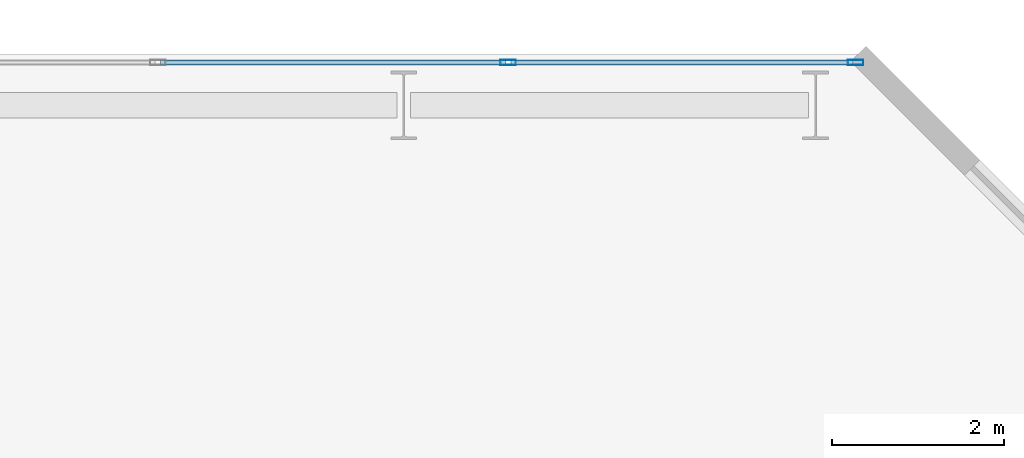
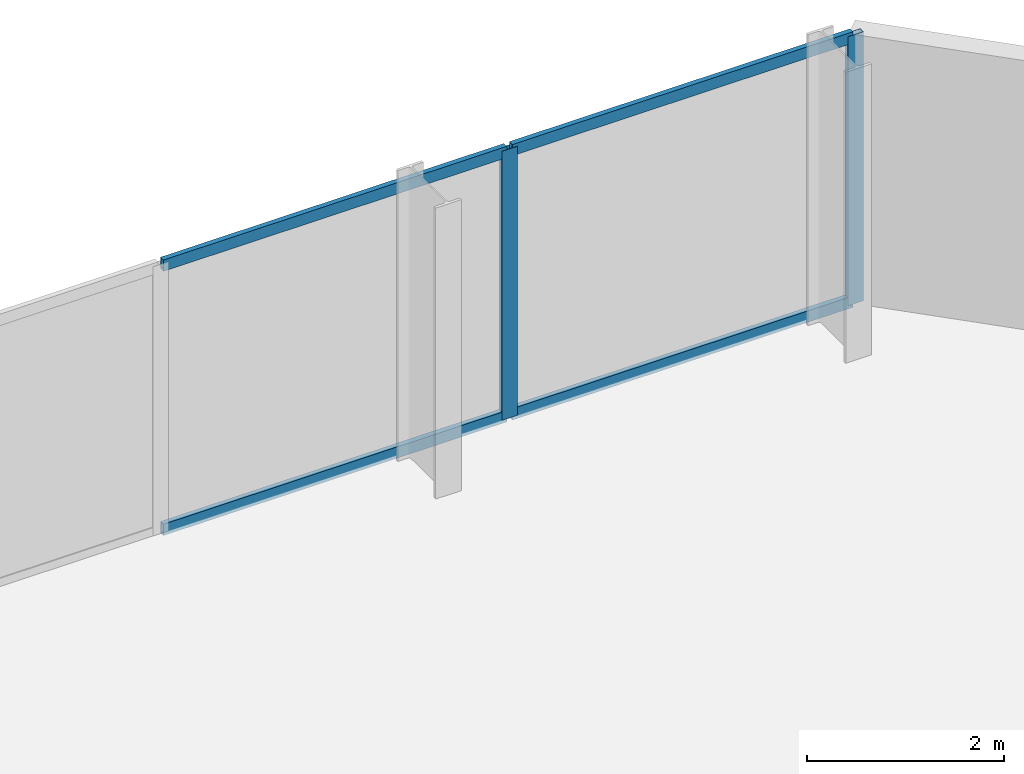
# One storey, part 26 of 32: 6 members, 1 element without a shape of its own.
"""IFC4 building model written with IfcOpenShell, lengths in metres."""

from ifc_helpers import new_model, si_unit, direction, frame, origin, origin_2d, place, context, subcontext, project, spatial, hollow_rectangle, extrude, material, layer, layer_set, material_profile, profile_set, type_object, element, aggregate, save


model = new_model("IFC4")

# Units and contexts
model_context = context("Model", 3, precision=1e-05, world=origin(), true_north=direction((0.0, 1.0)))
body_context = subcontext(model_context, "Body", "Model", "MODEL_VIEW")
ifc_project = project(units=[si_unit("LENGTHUNIT", "METRE"), si_unit("AREAUNIT", "SQUARE_METRE"), si_unit("VOLUMEUNIT", "CUBIC_METRE"), si_unit("PLANEANGLEUNIT", "RADIAN"), si_unit("MASSUNIT", "GRAM", prefix="KILO")], contexts=[model_context])

# Site, building, storey
site_placement = place(None, origin())
site = spatial("IfcSite", under=ifc_project, at=site_placement, CompositionType="ELEMENT")
building_placement = place(site_placement, origin())
building = spatial("IfcBuilding", under=site, at=building_placement, Name="Catumbela Crestline Tower", CompositionType="ELEMENT")
storey_placement = place(building_placement, frame((0.0, 0.0, 69.0)))
storey = spatial("IfcBuildingStorey", under=building, at=storey_placement, Name="L17", CompositionType="ELEMENT", Elevation=69.0)

# Curtain wall, members
ifc_material = material(Name="Aluminium alloy AW-6060-T66", Category="aluminium")
ifc_layer = layer(ifc_material, 0.18, Name="Aluminium alloy AW-6060-T66")
ifc_layer_set = layer_set([ifc_layer], Name="Aluminium alloy AW-6060-T66")
curtain_wall_type = type_object("IfcCurtainWallType", Name="CWU-Z1", PredefinedType="USERDEFINED", material=ifc_layer_set)
curtain_wall_placement = place(storey_placement, origin())
curtain_wall = element("IfcCurtainWall", 1, at=curtain_wall_placement, inside=storey, type_object=curtain_wall_type, Name="L17 Unitised Curtain Wall CW-L17-E7S1", ObjectType="UNITISED", PredefinedType="USERDEFINED")
ifc_material_profile_1 = material_profile(ifc_material, hollow_rectangle(XDim=0.065, YDim=0.18, WallThickness=0.004, at=origin_2d()), Name="ALU 180x65x4")
ifc_profile_set_1 = profile_set([ifc_material_profile_1], Name="Aluminium alloy AW-6060-T66")
member_type_1 = type_object("IfcMemberType", Name="MUL-180X65", PredefinedType="MULLION", material=ifc_profile_set_1)
member_1_placement = place(storey_placement, frame((52.4675, 47.9, 0.0), z_axis=(0.0, 0.0, 1.0), x_axis=(0.0, -1.0, 0.0)))
member_1 = element("IfcMember", 2, at=member_1_placement, type_object=member_type_1, Name="CWU-Z1 mullion 1", PredefinedType="MULLION", context=body_context, shape_type="SweptSolid", body=[
    extrude(hollow_rectangle(XDim=0.065, YDim=0.18, WallThickness=0.004, at=origin_2d()), origin(), (0.0, 0.0, 1.0), 3.33),
])
member_2_placement = place(storey_placement, frame((48.4167, 47.9, 0.0), z_axis=(0.0, 0.0, 1.0), x_axis=(0.0, -1.0, 0.0)))
member_2 = element("IfcMember", 3, at=member_2_placement, type_object=member_type_1, Name="CWU-Z1 mullion 2", PredefinedType="MULLION", context=body_context, shape_type="SweptSolid", body=[
    extrude(hollow_rectangle(XDim=0.065, YDim=0.18, WallThickness=0.004, at=origin_2d()), origin(), (0.0, 0.0, 1.0), 3.33),
])
ifc_material_profile_2 = material_profile(ifc_material, hollow_rectangle(XDim=0.06, YDim=0.14, WallThickness=0.004, at=origin_2d()), Name="ALU 140x60x4")
ifc_profile_set_2 = profile_set([ifc_material_profile_2], Name="Aluminium alloy AW-6060-T66")
member_type_2 = type_object("IfcMemberType", Name="TRN-140X60", PredefinedType="USERDEFINED", material=ifc_profile_set_2)
member_3_placement = place(storey_placement, frame((52.435, 47.9, 0.03), z_axis=(-1.0, 0.0, 0.0), x_axis=(0.0, -1.0, 0.0)))
member_3 = element("IfcMember", 4, at=member_3_placement, type_object=member_type_2, Name="CWU-Z1 transom 1.1", ObjectType="TRANSOM", PredefinedType="USERDEFINED", context=body_context, shape_type="SweptSolid", body=[
    extrude(hollow_rectangle(XDim=0.06, YDim=0.14, WallThickness=0.004, at=origin_2d()), origin(), (0.0, 0.0, 1.0), 3.9858),
])
member_4_placement = place(storey_placement, frame((52.435, 47.9, 3.3), z_axis=(-1.0, 0.0, 0.0), x_axis=(0.0, -1.0, 0.0)))
member_4 = element("IfcMember", 5, at=member_4_placement, type_object=member_type_2, Name="CWU-Z1 transom 1.2", ObjectType="TRANSOM", PredefinedType="USERDEFINED", context=body_context, shape_type="SweptSolid", body=[
    extrude(hollow_rectangle(XDim=0.06, YDim=0.14, WallThickness=0.004, at=origin_2d()), origin(), (0.0, 0.0, 1.0), 3.9858),
])
member_5_placement = place(storey_placement, frame((48.3842, 47.9, 0.03), z_axis=(-1.0, 0.0, 0.0), x_axis=(0.0, -1.0, 0.0)))
member_5 = element("IfcMember", 6, at=member_5_placement, type_object=member_type_2, Name="CWU-Z1 transom 2.1", ObjectType="TRANSOM", PredefinedType="USERDEFINED", context=body_context, shape_type="SweptSolid", body=[
    extrude(hollow_rectangle(XDim=0.06, YDim=0.14, WallThickness=0.004, at=origin_2d()), origin(), (0.0, 0.0, 1.0), 4.0184),
])
member_6_placement = place(storey_placement, frame((48.3842, 47.9, 3.3), z_axis=(-1.0, 0.0, 0.0), x_axis=(0.0, -1.0, 0.0)))
member_6 = element("IfcMember", 7, at=member_6_placement, type_object=member_type_2, Name="CWU-Z1 transom 2.2", ObjectType="TRANSOM", PredefinedType="USERDEFINED", context=body_context, shape_type="SweptSolid", body=[
    extrude(hollow_rectangle(XDim=0.06, YDim=0.14, WallThickness=0.004, at=origin_2d()), origin(), (0.0, 0.0, 1.0), 4.0184),
])
aggregate(curtain_wall, [member_1, member_2, member_3, member_4, member_5, member_6])

save(model, "model.ifc")
